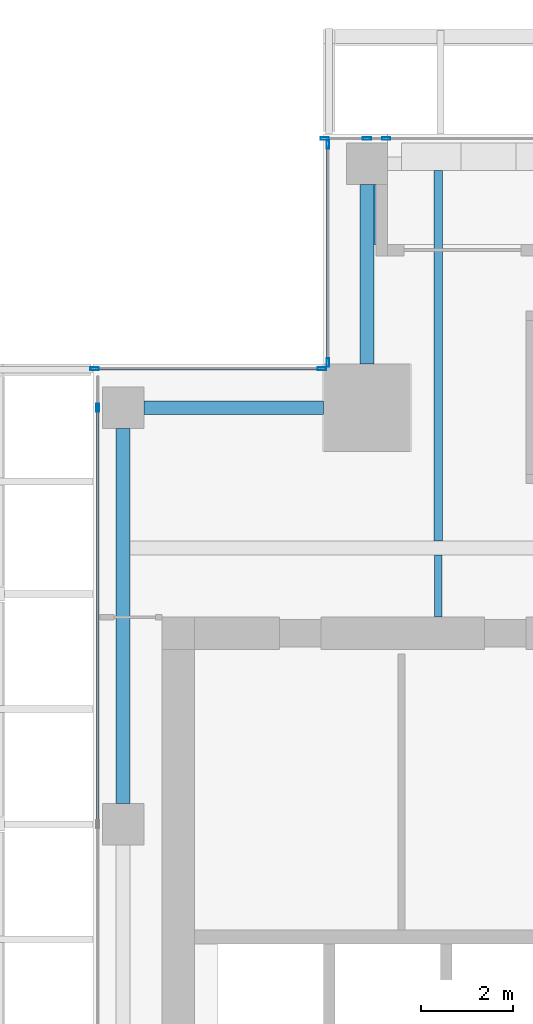
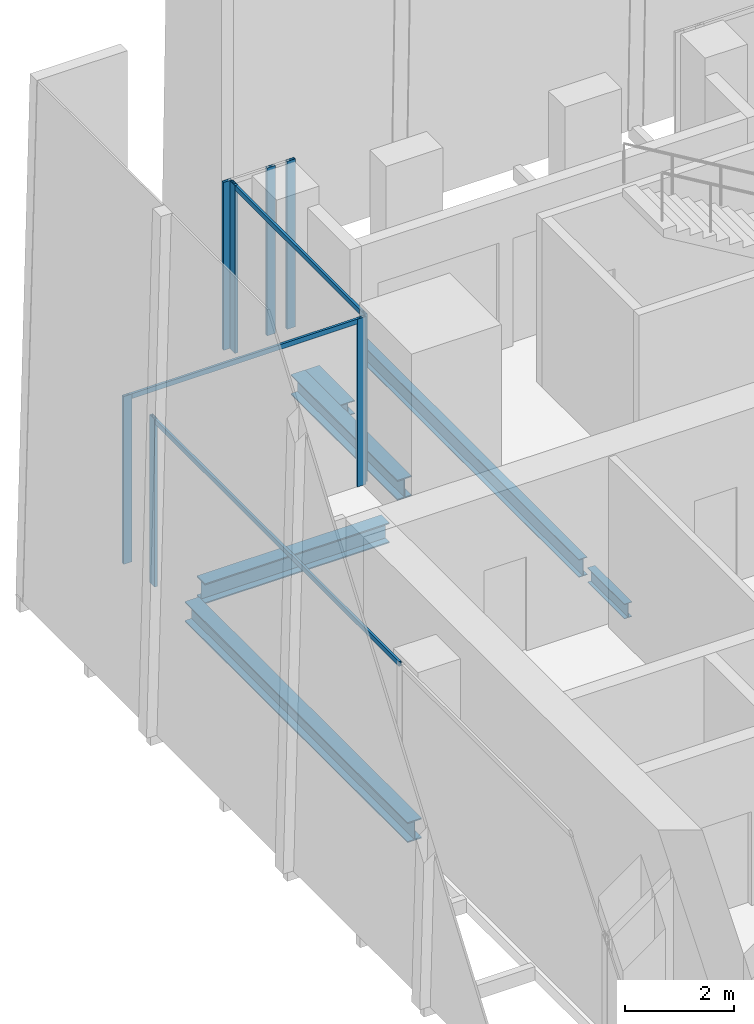
# One storey, part 14 of 33: 11 members, 6 beams, 4 elements without a shape of their own.
"""IFC4 building model written with IfcOpenShell, lengths in metres."""

from ifc_helpers import new_model, si_unit, direction, frame, origin, origin_2d, place, context, subcontext, project, spatial, hollow_rectangle, i_section, extrude, source, transform, mapped, material, material_profile, profile_set, type_object, element, aggregate, save


model = new_model("IFC4")

# Units and contexts
model_context = context("Model", 3, precision=1e-05, world=origin(), true_north=direction((0.0, 1.0)))
body_context = subcontext(model_context, "Body", "Model", "MODEL_VIEW")
ifc_project = project(units=[si_unit("LENGTHUNIT", "METRE"), si_unit("AREAUNIT", "SQUARE_METRE"), si_unit("VOLUMEUNIT", "CUBIC_METRE"), si_unit("PLANEANGLEUNIT", "RADIAN"), si_unit("MASSUNIT", "GRAM", prefix="KILO")], contexts=[model_context])

# Site, building, storey
site_placement = place(None, origin())
site = spatial("IfcSite", under=ifc_project, at=site_placement, CompositionType="ELEMENT")
building_placement = place(site_placement, origin())
building = spatial("IfcBuilding", under=site, at=building_placement, Name="Khomas Fold Tower", CompositionType="ELEMENT")
storey_placement = place(building_placement, frame((0.0, 0.0, 234.199951171875)))
storey = spatial("IfcBuildingStorey", under=building, at=storey_placement, Name="L52", CompositionType="ELEMENT", Elevation=234.199951171875)

# Beams
ifc_material_1 = material(Name="Steel S355", Category="steel")
ifc_material_profile_1 = material_profile(ifc_material_1, i_section(OverallWidth=0.159912109375, OverallDepth=0.330078125, WebThickness=0.007568359375, FlangeThickness=0.011474609375, at=origin_2d()), Name="IPE 330")
ifc_profile_set_1 = profile_set([ifc_material_profile_1], Name="Steel S355")
beam_type_1 = type_object("IfcBeamType", Name="IPE 330 beam JB1", PredefinedType="BEAM", material=ifc_profile_set_1)
shared_shape_1 = source(origin(), body_context, "Body", "SweptSolid", [
    extrude(i_section(OverallWidth=0.159912109375, OverallDepth=0.330078125, WebThickness=0.007568359375, FlangeThickness=0.011474609375, at=origin_2d()), origin(), (0.0, 0.0, 1.0), 1.35009765625),
])
beam_1_placement = place(storey_placement, frame((12.0, 39.0, -0.4150390625), z_axis=(0.0, 1.0, 0.0), x_axis=(-1.0, 0.0, 0.0)))
element("IfcBeam", 1, at=beam_1_placement, inside=storey, type_object=beam_type_1, Name="JB1", PredefinedType="BEAM", context=body_context, shape_type="MappedRepresentation", body=[
    mapped(shared_shape_1, transform((0.0, 0.0, 0.0))),
])
ifc_material_2 = material(Name="Steel S355", Category="steel")
ifc_material_profile_2 = material_profile(ifc_material_2, i_section(OverallWidth=0.300048828125, OverallDepth=0.449951171875, WebThickness=0.013916015625, FlangeThickness=0.02587890625, at=origin_2d()), Name="HE 450 B")
ifc_profile_set_2 = profile_set([ifc_material_profile_2], Name="Steel S355")
beam_type_2 = type_object("IfcBeamType", Name="HE 450 B spandrel SB4", PredefinedType="SPANDREL", material=ifc_profile_set_2)
shared_shape_2 = source(origin(), body_context, "Body", "SweptSolid", [
    extrude(i_section(OverallWidth=0.300048828125, OverallDepth=0.449951171875, WebThickness=0.013916015625, FlangeThickness=0.02587890625, at=origin_2d()), origin(), (0.0, 0.0, 1.0), 8.150146484375),
])
beam_2_placement = place(storey_placement, frame((5.14990234375, 34.949951171875, -0.474853515625), z_axis=(0.0, 1.0, 0.0), x_axis=(-1.0, 0.0, 0.0)))
element("IfcBeam", 2, at=beam_2_placement, inside=storey, type_object=beam_type_2, Name="SB4", PredefinedType="SPANDREL", context=body_context, shape_type="MappedRepresentation", body=[
    mapped(shared_shape_2, transform((0.0, 0.0, 0.0))),
])
shared_shape_3 = source(origin(), body_context, "Body", "SweptSolid", [
    extrude(i_section(OverallWidth=0.300048828125, OverallDepth=0.449951171875, WebThickness=0.013916015625, FlangeThickness=0.02587890625, at=origin_2d()), origin(), (0.0, 0.0, 1.0), 3.89990234375),
])
for number, where, z_axis, x_axis, name in (
    (3, (10.449951171875, 44.5, -0.474853515625), (0.0, 1.0, 0.0), (-1.0, 0.0, 0.0), "SB4"),
    (4, (5.60009765625, 43.550048828125, -0.474853515625), (1.0, 0.0, 0.0), (0.0, 1.0, 0.0), "SB4"),
):
    element("IfcBeam", number, at=place(storey_placement, frame(where, z_axis=z_axis, x_axis=x_axis)), inside=storey, type_object=beam_type_2, Name=name, PredefinedType="SPANDREL", context=body_context, shape_type="MappedRepresentation", body=[
        mapped(shared_shape_3, transform((0.0, 0.0, 0.0))),
    ])
ifc_material_3 = material(Name="Steel S355", Category="steel")
ifc_material_profile_3 = material_profile(ifc_material_3, i_section(OverallWidth=0.179931640625, OverallDepth=0.39990234375, WebThickness=0.008544921875, FlangeThickness=0.013427734375, at=origin_2d()), Name="IPE 400")
ifc_profile_set_3 = profile_set([ifc_material_profile_3], Name="Steel S355")
beam_type_3 = type_object("IfcBeamType", Name="IPE 400 beam JB3", PredefinedType="BEAM", material=ifc_profile_set_3)
shared_shape_4 = source(origin(), body_context, "Body", "SweptSolid", [
    extrude(i_section(OverallWidth=0.179931640625, OverallDepth=0.39990234375, WebThickness=0.008544921875, FlangeThickness=0.013427734375, at=origin_2d()), origin(), (0.0, 0.0, 1.0), 8.050048828125),
])
beam_3_placement = place(storey_placement, frame((12.0, 40.64990234375, -0.449951171875), z_axis=(0.0, 1.0, 0.0), x_axis=(-1.0, 0.0, 0.0)))
element("IfcBeam", 5, at=beam_3_placement, inside=storey, type_object=beam_type_3, Name="JB3", PredefinedType="BEAM", context=body_context, shape_type="MappedRepresentation", body=[
    mapped(shared_shape_4, transform((0.0, 0.0, 0.0))),
])
ifc_material_4 = material(Name="Steel S355", Category="steel")
ifc_material_profile_4 = material_profile(ifc_material_4, i_section(OverallWidth=0.300048828125, OverallDepth=0.300048828125, WebThickness=0.010986328125, FlangeThickness=0.01904296875, at=origin_2d()), Name="HE 300 B")
ifc_profile_set_4 = profile_set([ifc_material_profile_4], Name="Steel S355")
beam_type_4 = type_object("IfcBeamType", Name="HE 300 B beam BB1", PredefinedType="BEAM", material=ifc_profile_set_4)
shared_shape_5 = source(origin(), body_context, "Body", "SweptSolid", [
    extrude(i_section(OverallWidth=0.300048828125, OverallDepth=0.300048828125, WebThickness=0.010986328125, FlangeThickness=0.01904296875, at=origin_2d()), origin(), (0.0, 0.0, 1.0), 1.2998046875),
])
beam_4_placement = place(storey_placement, frame((10.75, 47.10009765625, -0.39990234375), z_axis=(0.0, 1.0, 0.0), x_axis=(-1.0, 0.0, 0.0)))
element("IfcBeam", 6, at=beam_4_placement, inside=storey, type_object=beam_type_4, Name="BB1", PredefinedType="BEAM", context=body_context, shape_type="MappedRepresentation", body=[
    mapped(shared_shape_5, transform((0.0, 0.0, 0.0))),
])

# Curtain wall, members
ifc_material_5 = material(Name="Aluminium framed double glazing", Category="aluminium")
curtain_wall_type = type_object("IfcCurtainWallType", Name="SK-Unitised clear-glass wall, office floors CW2", PredefinedType="NOTDEFINED", material=ifc_material_5)
curtain_wall_1_placement = place(storey_placement, origin())
curtain_wall_1 = element("IfcCurtainWall", 7, at=curtain_wall_1_placement, inside=storey, type_object=curtain_wall_type, Name="CW2 run L52 06-2", PredefinedType="NOTDEFINED")
ifc_material_6 = material(Name="Aluminium", Category="aluminium")
ifc_material_profile_5 = material_profile(ifc_material_6, hollow_rectangle(XDim=0.06005859375, YDim=0.179931640625, WallThickness=0.00390625, at=origin_2d()), Name="SK-Unitised clear-glass wall, office floors mullion CW2-M")
ifc_profile_set_5 = profile_set([ifc_material_profile_5], Name="Aluminium")
member_type_1 = type_object("IfcMemberType", Name="SK-Unitised clear-glass wall, office floors mullion CW2-M", PredefinedType="MULLION", material=ifc_profile_set_5)
shared_shape_6 = source(origin(), body_context, "Body", "SweptSolid", [
    extrude(hollow_rectangle(XDim=0.06005859375, YDim=0.179931640625, WallThickness=0.00390625, at=origin_2d()), origin(), (0.0, 0.0, 1.0), 3.75),
])
member_1_placement = place(storey_placement, frame((10.8701171875, 49.39990234375, 0.0), z_axis=(0.0, 0.0, 1.0), x_axis=(0.0, -1.0, 0.0)))
member_1 = element("IfcMember", 8, at=member_1_placement, type_object=member_type_1, Name="CW2 mullion 1", PredefinedType="MULLION", context=body_context, shape_type="MappedRepresentation", body=[
    mapped(shared_shape_6, transform((0.0, 0.0, 0.0))),
])
member_2_placement = place(storey_placement, frame((10.449951171875, 49.39990234375, 0.0), z_axis=(0.0, 0.0, 1.0), x_axis=(0.0, -1.0, 0.0)))
member_2 = element("IfcMember", 9, at=member_2_placement, type_object=member_type_1, Name="CW2 mullion 2", PredefinedType="MULLION", context=body_context, shape_type="MappedRepresentation", body=[
    mapped(shared_shape_6, transform((0.0, 0.0, 0.0))),
])
member_3_placement = place(storey_placement, frame((9.530029296875, 49.39990234375, 0.0), z_axis=(0.0, 0.0, 1.0), x_axis=(0.0, -1.0, 0.0)))
member_3 = element("IfcMember", 10, at=member_3_placement, type_object=member_type_1, Name="CW2 mullion 3", PredefinedType="MULLION", context=body_context, shape_type="MappedRepresentation", body=[
    mapped(shared_shape_6, transform((0.0, 0.0, 0.0))),
])
aggregate(curtain_wall_1, [member_1, member_2, member_3])

curtain_wall_2_placement = place(storey_placement, origin())
curtain_wall_2 = element("IfcCurtainWall", 11, at=curtain_wall_2_placement, inside=storey, type_object=curtain_wall_type, Name="CW2 corner return L52 07", PredefinedType="NOTDEFINED")
member_4_placement = place(storey_placement, frame((9.60009765625, 49.27001953125, 0.0), z_axis=(0.0, 0.0, 1.0), x_axis=(1.0, 0.0, 0.0)))
member_4 = element("IfcMember", 12, at=member_4_placement, type_object=member_type_1, Name="CW2 mullion 1", PredefinedType="MULLION", context=body_context, shape_type="MappedRepresentation", body=[
    mapped(shared_shape_6, transform((0.0, 0.0, 0.0))),
])
member_5_placement = place(storey_placement, frame((9.60009765625, 44.530029296875, 0.0), z_axis=(0.0, 0.0, 1.0), x_axis=(1.0, 0.0, 0.0)))
member_5 = element("IfcMember", 13, at=member_5_placement, type_object=member_type_1, Name="CW2 mullion 2", PredefinedType="MULLION", context=body_context, shape_type="MappedRepresentation", body=[
    mapped(shared_shape_6, transform((0.0, 0.0, 0.0))),
])

curtain_wall_3_placement = place(storey_placement, origin())
curtain_wall_3 = element("IfcCurtainWall", 14, at=curtain_wall_3_placement, inside=storey, type_object=curtain_wall_type, Name="CW2 corner return L52 08", PredefinedType="NOTDEFINED")
member_6_placement = place(storey_placement, frame((9.469970703125, 44.39990234375, 0.0), z_axis=(0.0, 0.0, 1.0), x_axis=(0.0, -1.0, 0.0)))
member_6 = element("IfcMember", 15, at=member_6_placement, type_object=member_type_1, Name="CW2 mullion 1", PredefinedType="MULLION", context=body_context, shape_type="MappedRepresentation", body=[
    mapped(shared_shape_6, transform((0.0, 0.0, 0.0))),
])
member_7_placement = place(storey_placement, frame((4.530029296875, 44.39990234375, 0.0), z_axis=(0.0, 0.0, 1.0), x_axis=(0.0, -1.0, 0.0)))
member_7 = element("IfcMember", 16, at=member_7_placement, type_object=member_type_1, Name="CW2 mullion 2", PredefinedType="MULLION", context=body_context, shape_type="MappedRepresentation", body=[
    mapped(shared_shape_6, transform((0.0, 0.0, 0.0))),
])

curtain_wall_4_placement = place(storey_placement, origin())
curtain_wall_4 = element("IfcCurtainWall", 17, at=curtain_wall_4_placement, inside=storey, type_object=curtain_wall_type, Name="CW2 run L52 09-0", PredefinedType="NOTDEFINED")
member_8_placement = place(storey_placement, frame((4.60009765625, 43.550048828125, 0.0), z_axis=(0.0, 0.0, 1.0), x_axis=(1.0, 0.0, 0.0)))
member_8 = element("IfcMember", 18, at=member_8_placement, type_object=member_type_1, Name="CW2 mullion 2", PredefinedType="MULLION", context=body_context, shape_type="MappedRepresentation", body=[
    mapped(shared_shape_6, transform((0.0, 0.0, 0.0))),
])
ifc_material_7 = material(Name="Aluminium", Category="aluminium")
ifc_material_profile_6 = material_profile(ifc_material_7, hollow_rectangle(XDim=0.050048828125, YDim=0.110107421875, WallThickness=0.00390625, at=origin_2d()), Name="SK-Unitised clear-glass wall, office floors transom CW2-T")
ifc_profile_set_6 = profile_set([ifc_material_profile_6], Name="Aluminium")
member_type_2 = type_object("IfcMemberType", Name="SK-Unitised clear-glass wall, office floors transom CW2-T", PredefinedType="USERDEFINED", material=ifc_profile_set_6)
shared_shape_7 = source(origin(), body_context, "Body", "SweptSolid", [
    extrude(hollow_rectangle(XDim=0.050048828125, YDim=0.110107421875, WallThickness=0.00390625, at=origin_2d()), origin(), (0.0, 0.0, 1.0), 8.989990234375),
])
member_9_placement = place(storey_placement, frame((4.60009765625, 43.52001953125, 3.695068359375), z_axis=(0.0, -1.0, 0.0), x_axis=(1.0, 0.0, 0.0)))
member_9 = element("IfcMember", 19, at=member_9_placement, type_object=member_type_2, Name="CW2 transom 2", ObjectType="TRANSOM", PredefinedType="USERDEFINED", context=body_context, shape_type="MappedRepresentation", body=[
    mapped(shared_shape_7, transform((0.0, 0.0, 0.0))),
])
aggregate(curtain_wall_4, [member_8, member_9])

# Member
shared_shape_8 = source(origin(), body_context, "Body", "SweptSolid", [
    extrude(hollow_rectangle(XDim=0.050048828125, YDim=0.110107421875, WallThickness=0.00390625, at=origin_2d()), origin(), (0.0, 0.0, 1.0), 4.679931640625),
])
member_10_placement = place(storey_placement, frame((9.60009765625, 49.239990234375, 3.695068359375), z_axis=(0.0, -1.0, 0.0), x_axis=(1.0, 0.0, 0.0)))
member_10 = element("IfcMember", 20, at=member_10_placement, type_object=member_type_2, Name="CW2 transom 1", ObjectType="TRANSOM", PredefinedType="USERDEFINED", context=body_context, shape_type="MappedRepresentation", body=[
    mapped(shared_shape_8, transform((0.0, 0.0, 0.0))),
])

aggregate(curtain_wall_2, [member_4, member_5, member_10])

shared_shape_9 = source(origin(), body_context, "Body", "SweptSolid", [
    extrude(hollow_rectangle(XDim=0.050048828125, YDim=0.110107421875, WallThickness=0.00390625, at=origin_2d()), origin(), (0.0, 0.0, 1.0), 4.8798828125),
])
member_11_placement = place(storey_placement, frame((9.43994140625, 44.39990234375, 3.695068359375), z_axis=(-1.0, 0.0, 0.0), x_axis=(0.0, -1.0, 0.0)))
member_11 = element("IfcMember", 21, at=member_11_placement, type_object=member_type_2, Name="CW2 transom 1", ObjectType="TRANSOM", PredefinedType="USERDEFINED", context=body_context, shape_type="MappedRepresentation", body=[
    mapped(shared_shape_9, transform((0.0, 0.0, 0.0))),
])

aggregate(curtain_wall_3, [member_6, member_7, member_11])

save(model, "model.ifc")
